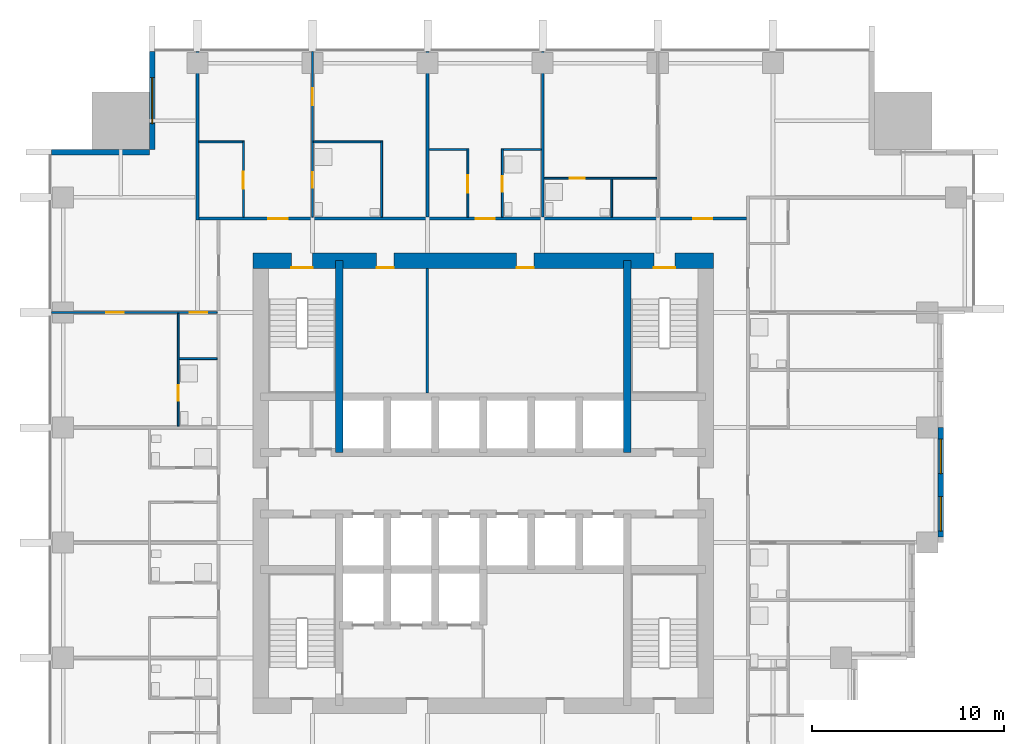
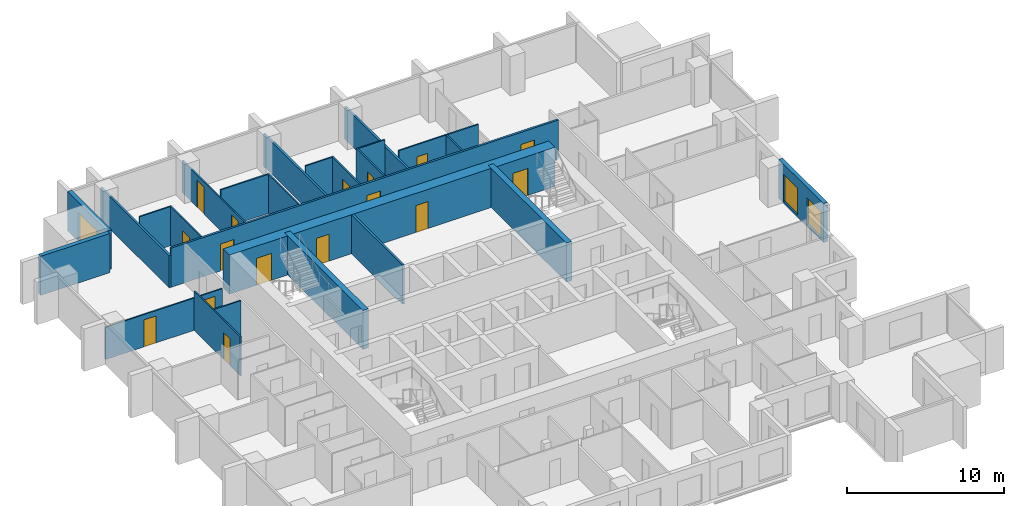
# One storey, part 7 of 10: 25 walls, 16 doors, 3 windows, 19 openings.
"""IFC4 building model written with IfcOpenShell, lengths in metres."""

from ifc_helpers import new_model, si_unit, direction, frame, frame_2d, origin, place, context, subcontext, project, spatial, rectangle, extrude, material, layer, layer_set, type_object, element, fill, save


model = new_model("IFC4")

# Units and contexts
model_context = context("Model", 3, precision=1e-05, world=origin(), true_north=direction((0.0, 1.0)))
body_context = subcontext(model_context, "Body", "Model", "MODEL_VIEW")
ifc_project = project(units=[si_unit("LENGTHUNIT", "METRE"), si_unit("AREAUNIT", "SQUARE_METRE"), si_unit("VOLUMEUNIT", "CUBIC_METRE"), si_unit("PLANEANGLEUNIT", "RADIAN"), si_unit("MASSUNIT", "GRAM", prefix="KILO")], contexts=[model_context])

# Site, building, storey
site_placement = place(None, origin())
site = spatial("IfcSite", under=ifc_project, at=site_placement, CompositionType="ELEMENT")
building_placement = place(site_placement, origin())
building = spatial("IfcBuilding", under=site, at=building_placement, Name="Amberfall Residences", CompositionType="ELEMENT")
storey_placement = place(building_placement, frame((0.0, 0.0, 101.800048828125)))
storey = spatial("IfcBuildingStorey", under=building, at=storey_placement, Name="L27", CompositionType="ELEMENT", Elevation=101.800048828125)

# Wall, opening, window
ifc_material_1 = material(Name="Pale stone cladding on insulated backing", Category="masonry")
ifc_layer_1 = layer(ifc_material_1, 0.300048828125)
ifc_layer_set_1 = layer_set([ifc_layer_1], Name="Bronze clad wall 300")
wall_type_1 = type_object("IfcWallType", Name="Bronze clad wall 300", PredefinedType="SOLIDWALL", material=ifc_layer_set_1)
wall_1_placement = place(storey_placement, frame((57.25, 68.0, 0.0), z_axis=(0.0, 0.0, 1.0), x_axis=(0.0, -1.0, 0.0)))
wall_1 = element("IfcWall", 1, at=wall_1_placement, inside=storey, type_object=wall_type_1, Name="External wall L27 NW", PredefinedType="SOLIDWALL", context=body_context, shape_type="SweptSolid", body=[
    extrude(rectangle(XDim=5.10009765625, YDim=0.300048828125, at=frame_2d((2.550048828125, 0.0))), origin(), (0.0, 0.0, 1.0), 3.050048828125),
])
opening_1_placement = place(wall_1_placement, frame((1.35009765625, 0.0, 0.14990234375)))
opening_1 = element("IfcOpeningElement", 2, at=opening_1_placement, cuts=wall_1, Name="Opening WN5", PredefinedType="OPENING", context=body_context, shape_type="SweptSolid", body=[
    extrude(rectangle(XDim=2.39990234375, YDim=2.10009765625, at=frame_2d((1.199951171875, 1.050048828125))), frame((0.0, 0.159912109375, 0.0), z_axis=(0.0, -1.0, 0.0), x_axis=(1.0, 0.0, 0.0)), (0.0, 0.0, 1.0), 0.320068359375),
])
ifc_material_2 = material(Name="Bronze aluminium framed glazing", Category="aluminium")
window_type_1 = type_object("IfcWindowType", Name="Glazed opening 2400 x 2100 bronze", PartitioningType="DOUBLE_PANEL_VERTICAL", PredefinedType="WINDOW", material=ifc_material_2)
window_1_placement = place(opening_1_placement, origin())
window_1 = element("IfcWindow", 3, at=window_1_placement, inside=storey, type_object=window_type_1, Name="Window L27 NW", OverallHeight=2.10009765625, OverallWidth=2.39990234375, PartitioningType="DOUBLE_PANEL_VERTICAL", PredefinedType="WINDOW", context=body_context, shape_type="SweptSolid", body=[
    extrude(rectangle(XDim=2.39990234375, YDim=2.10009765625, at=frame_2d((1.199951171875, 1.050048828125))), frame((0.0, 0.030029296875, 0.0), z_axis=(0.0, -1.0, 0.0), x_axis=(1.0, 0.0, 0.0)), (0.0, 0.0, 1.0), 0.06005859375),
])
fill(opening_1, window_1)

# Wall
wall_2_placement = place(storey_placement, frame((57.10009765625, 62.75, 0.0), z_axis=(0.0, 0.0, 1.0), x_axis=(-1.0, 0.0, 0.0)))
element("IfcWall", 4, at=wall_2_placement, inside=storey, type_object=wall_type_1, Name="External wall L27 NW", PredefinedType="SOLIDWALL", context=body_context, shape_type="SweptSolid", body=[
    extrude(rectangle(XDim=5.10009765625, YDim=0.300048828125, at=frame_2d((2.550048828125, 0.0))), origin(), (0.0, 0.0, 1.0), 3.050048828125),
])

# Wall, openings, windows
wall_3_placement = place(storey_placement, frame((98.35009765625, 42.699951171875, 0.0), z_axis=(0.0, 0.0, 1.0), x_axis=(0.0, 1.0, 0.0)))
wall_3 = element("IfcWall", 5, at=wall_3_placement, inside=storey, type_object=wall_type_1, Name="Stone wall L27 E", PredefinedType="SOLIDWALL", context=body_context, shape_type="SweptSolid", body=[
    extrude(rectangle(XDim=5.699951171875, YDim=0.300048828125, at=frame_2d((2.85009765625, 0.0))), origin(), (0.0, 0.0, 1.0), 3.050048828125),
])
opening_2_placement = place(wall_3_placement, frame((0.300048828125, 0.0, 0.14990234375)))
opening_2 = element("IfcOpeningElement", 6, at=opening_2_placement, cuts=wall_3, Name="Opening WN6", PredefinedType="OPENING", context=body_context, shape_type="SweptSolid", body=[
    extrude(rectangle(XDim=1.800048828125, YDim=2.10009765625, at=frame_2d((0.89990234375, 1.050048828125))), frame((0.0, 0.159912109375, 0.0), z_axis=(0.0, -1.0, 0.0), x_axis=(1.0, 0.0, 0.0)), (0.0, 0.0, 1.0), 0.320068359375),
])
opening_3_placement = place(wall_3_placement, frame((3.300048828125, 0.0, 0.14990234375)))
opening_3 = element("IfcOpeningElement", 7, at=opening_3_placement, cuts=wall_3, Name="Opening WN6", PredefinedType="OPENING", context=body_context, shape_type="SweptSolid", body=[
    extrude(rectangle(XDim=1.800048828125, YDim=2.10009765625, at=frame_2d((0.89990234375, 1.050048828125))), frame((0.0, 0.159912109375, 0.0), z_axis=(0.0, -1.0, 0.0), x_axis=(1.0, 0.0, 0.0)), (0.0, 0.0, 1.0), 0.320068359375),
])
window_type_2 = type_object("IfcWindowType", Name="Glazed opening 1800 x 2100 bronze", PartitioningType="DOUBLE_PANEL_VERTICAL", PredefinedType="WINDOW", material=ifc_material_2)
window_2_placement = place(opening_2_placement, origin())
window_2 = element("IfcWindow", 8, at=window_2_placement, inside=storey, type_object=window_type_2, Name="Window L27 E", OverallHeight=2.10009765625, OverallWidth=1.800048828125, PartitioningType="DOUBLE_PANEL_VERTICAL", PredefinedType="WINDOW", context=body_context, shape_type="SweptSolid", body=[
    extrude(rectangle(XDim=1.800048828125, YDim=2.10009765625, at=frame_2d((0.89990234375, 1.050048828125))), frame((0.0, 0.030029296875, 0.0), z_axis=(0.0, -1.0, 0.0), x_axis=(1.0, 0.0, 0.0)), (0.0, 0.0, 1.0), 0.06005859375),
])
fill(opening_2, window_2)
window_3_placement = place(opening_3_placement, origin())
window_3 = element("IfcWindow", 9, at=window_3_placement, inside=storey, type_object=window_type_2, Name="Window L27 E", OverallHeight=2.10009765625, OverallWidth=1.800048828125, PartitioningType="DOUBLE_PANEL_VERTICAL", PredefinedType="WINDOW", context=body_context, shape_type="SweptSolid", body=[
    extrude(rectangle(XDim=1.800048828125, YDim=2.10009765625, at=frame_2d((0.89990234375, 1.050048828125))), frame((0.0, 0.030029296875, 0.0), z_axis=(0.0, -1.0, 0.0), x_axis=(1.0, 0.0, 0.0)), (0.0, 0.0, 1.0), 0.06005859375),
])
fill(opening_3, window_3)

# Walls
ifc_material_3 = material(Name="Concrete C70", Category="concrete")
ifc_layer_2 = layer(ifc_material_3, 0.39990234375)
ifc_layer_set_2 = layer_set([ifc_layer_2], Name="Core wall 400 C70")
wall_type_2 = type_object("IfcWallType", Name="Core wall 400 C70", PredefinedType="SHEAR", material=ifc_layer_set_2)
for number, where, z_axis, x_axis, name in (
    (10, (67.0, 47.10009765625, 0.0), (0.0, 0.0, 1.0), (0.0, 1.0, 0.0), "Core wall RW4 L27 V45N"),
    (11, (82.0, 47.10009765625, 0.0), (0.0, 0.0, 1.0), (0.0, 1.0, 0.0), "Core wall RW4 L27 V195N"),
):
    element("IfcWall", number, at=place(storey_placement, frame(where, z_axis=z_axis, x_axis=x_axis)), inside=storey, type_object=wall_type_2, Name=name, PredefinedType="SHEAR", context=body_context, shape_type="SweptSolid", body=[
        extrude(rectangle(XDim=10.0, YDim=0.39990234375, at=frame_2d((5.0, 0.0))), origin(), (0.0, 0.0, 1.0), 3.050048828125),
    ])

# Wall, openings, doors
ifc_layer_3 = layer(ifc_material_3, 0.800048828125)
ifc_layer_set_3 = layer_set([ifc_layer_3], Name="Core wall 800 C70")
wall_type_3 = type_object("IfcWallType", Name="Core wall 800 C70", PredefinedType="SHEAR", material=ifc_layer_set_3)
wall_4_placement = place(storey_placement, frame((62.5, 57.10009765625, 0.0), z_axis=(0.0, 0.0, 1.0), x_axis=(1.0, 0.0, 0.0)))
wall_4 = element("IfcWall", 12, at=wall_4_placement, inside=storey, type_object=wall_type_3, Name="Core wall RW3 L27 ON", PredefinedType="SHEAR", context=body_context, shape_type="SweptSolid", body=[
    extrude(rectangle(XDim=24.0, YDim=0.800048828125, at=frame_2d((12.0, 0.0))), origin(), (0.0, 0.0, 1.0), 3.050048828125),
])
opening_4_placement = place(wall_4_placement, frame((20.89990234375, 0.0, 0.0)))
opening_4 = element("IfcOpeningElement", 13, at=opening_4_placement, cuts=wall_4, Name="Opening SD1", PredefinedType="OPENING", context=body_context, shape_type="SweptSolid", body=[
    extrude(rectangle(XDim=1.10009765625, YDim=2.10009765625, at=frame_2d((0.550048828125, 1.050048828125))), frame((0.0, 0.409912109375, 0.0), z_axis=(0.0, -1.0, 0.0), x_axis=(1.0, 0.0, 0.0)), (0.0, 0.0, 1.0), 0.820068359375),
])
opening_5_placement = place(wall_4_placement, frame((2.0, 0.0, 0.0)))
opening_5 = element("IfcOpeningElement", 14, at=opening_5_placement, cuts=wall_4, Name="Opening SD1", PredefinedType="OPENING", context=body_context, shape_type="SweptSolid", body=[
    extrude(rectangle(XDim=1.10009765625, YDim=2.10009765625, at=frame_2d((0.550048828125, 1.050048828125))), frame((0.0, 0.409912109375, 0.0), z_axis=(0.0, -1.0, 0.0), x_axis=(1.0, 0.0, 0.0)), (0.0, 0.0, 1.0), 0.820068359375),
])
opening_6_placement = place(wall_4_placement, frame((6.43994140625, 0.0, 0.0)))
opening_6 = element("IfcOpeningElement", 15, at=opening_6_placement, cuts=wall_4, Name="Opening RD1", PredefinedType="OPENING", context=body_context, shape_type="SweptSolid", body=[
    extrude(rectangle(XDim=0.89990234375, YDim=2.10009765625, at=frame_2d((0.449951171875, 1.050048828125))), frame((0.0, 0.409912109375, 0.0), z_axis=(0.0, -1.0, 0.0), x_axis=(1.0, 0.0, 0.0)), (0.0, 0.0, 1.0), 0.820068359375),
])
opening_7_placement = place(wall_4_placement, frame((13.739990234375, 0.0, 0.0)))
opening_7 = element("IfcOpeningElement", 16, at=opening_7_placement, cuts=wall_4, Name="Opening RD1", PredefinedType="OPENING", context=body_context, shape_type="SweptSolid", body=[
    extrude(rectangle(XDim=0.89990234375, YDim=2.10009765625, at=frame_2d((0.449951171875, 1.050048828125))), frame((0.0, 0.409912109375, 0.0), z_axis=(0.0, -1.0, 0.0), x_axis=(1.0, 0.0, 0.0)), (0.0, 0.0, 1.0), 0.820068359375),
])
ifc_material_4 = material(Name="Steel fire door set", Category="steel")
door_type_1 = type_object("IfcDoorType", Name="Service room door 900 x 2100", OperationType="SINGLE_SWING_LEFT", PredefinedType="DOOR", material=ifc_material_4)
door_1_placement = place(opening_6_placement, origin())
door_1 = element("IfcDoor", 17, at=door_1_placement, inside=storey, type_object=door_type_1, Name="RD1 L27", OperationType="SINGLE_SWING_RIGHT", OverallHeight=2.10009765625, OverallWidth=0.89990234375, PredefinedType="DOOR", context=body_context, shape_type="SweptSolid", body=[
    extrude(rectangle(XDim=0.89990234375, YDim=2.10009765625, at=frame_2d((0.449951171875, 1.050048828125))), frame((0.0, -0.33740234375, 0.0), z_axis=(0.0, -1.0, 0.0), x_axis=(1.0, 0.0, 0.0)), (0.0, 0.0, 1.0), 0.050048828125),
])
fill(opening_6, door_1)
door_2_placement = place(opening_7_placement, origin())
door_2 = element("IfcDoor", 18, at=door_2_placement, inside=storey, type_object=door_type_1, Name="RD1 L27", OperationType="SINGLE_SWING_RIGHT", OverallHeight=2.10009765625, OverallWidth=0.89990234375, PredefinedType="DOOR", context=body_context, shape_type="SweptSolid", body=[
    extrude(rectangle(XDim=0.89990234375, YDim=2.10009765625, at=frame_2d((0.449951171875, 1.050048828125))), frame((0.0, -0.33740234375, 0.0), z_axis=(0.0, -1.0, 0.0), x_axis=(1.0, 0.0, 0.0)), (0.0, 0.0, 1.0), 0.050048828125),
])
fill(opening_7, door_2)
door_type_2 = type_object("IfcDoorType", Name="Stair door 1100 x 2100", OperationType="SINGLE_SWING_LEFT", PredefinedType="DOOR", material=ifc_material_4)
door_3_placement = place(opening_4_placement, origin())
door_3 = element("IfcDoor", 19, at=door_3_placement, inside=storey, type_object=door_type_2, Name="SD1 L27", OperationType="SINGLE_SWING_RIGHT", OverallHeight=2.10009765625, OverallWidth=1.10009765625, PredefinedType="DOOR", context=body_context, shape_type="SweptSolid", body=[
    extrude(rectangle(XDim=1.10009765625, YDim=2.10009765625, at=frame_2d((0.550048828125, 1.050048828125))), frame((0.0, -0.33740234375, 0.0), z_axis=(0.0, -1.0, 0.0), x_axis=(1.0, 0.0, 0.0)), (0.0, 0.0, 1.0), 0.050048828125),
])
fill(opening_4, door_3)
door_4_placement = place(opening_5_placement, origin())
door_4 = element("IfcDoor", 20, at=door_4_placement, inside=storey, type_object=door_type_2, Name="SD1 L27", OperationType="SINGLE_SWING_LEFT", OverallHeight=2.10009765625, OverallWidth=1.10009765625, PredefinedType="DOOR", context=body_context, shape_type="SweptSolid", body=[
    extrude(rectangle(XDim=1.10009765625, YDim=2.10009765625, at=frame_2d((0.550048828125, 1.050048828125))), frame((0.0, -0.33740234375, 0.0), z_axis=(0.0, -1.0, 0.0), x_axis=(1.0, 0.0, 0.0)), (0.0, 0.0, 1.0), 0.050048828125),
])
fill(opening_5, door_4)

# Wall, opening, door
ifc_material_5 = material(Name="Gypsum board on metal stud")
ifc_layer_4 = layer(ifc_material_5, 0.10009765625)
ifc_layer_set_4 = layer_set([ifc_layer_4], Name="Flat partition 100")
wall_type_4 = type_object("IfcWallType", Name="Flat partition 100", PredefinedType="PARTITIONING", material=ifc_layer_set_4)
wall_5_placement = place(storey_placement, frame((58.60009765625, 54.35009765625, 0.0), z_axis=(0.0, 0.0, 1.0), x_axis=(0.0, -1.0, 0.0)))
wall_5 = element("IfcWall", 21, at=wall_5_placement, inside=storey, type_object=wall_type_4, Name="Partition 005", PredefinedType="PARTITIONING", context=body_context, shape_type="SweptSolid", body=[
    extrude(rectangle(XDim=5.875, YDim=0.10009765625, at=frame_2d((2.9375, 0.0))), origin(), (0.0, 0.0, 1.0), 3.050048828125),
])
opening_8_placement = place(wall_5_placement, frame((3.75, 0.0, 0.0)))
opening_8 = element("IfcOpeningElement", 22, at=opening_8_placement, cuts=wall_5, Name="Opening D42", PredefinedType="OPENING", context=body_context, shape_type="SweptSolid", body=[
    extrude(rectangle(XDim=0.800048828125, YDim=2.10009765625, at=frame_2d((0.39990234375, 1.050048828125))), frame((0.0, 0.06005859375, 0.0), z_axis=(0.0, -1.0, 0.0), x_axis=(1.0, 0.0, 0.0)), (0.0, 0.0, 1.0), 0.1201171875),
])
ifc_material_6 = material(Name="Timber", Category="wood")
door_type_3 = type_object("IfcDoorType", Name="Bathroom door 800 x 2100", OperationType="SINGLE_SWING_LEFT", PredefinedType="DOOR", material=ifc_material_6)
door_5_placement = place(opening_8_placement, origin())
door_5 = element("IfcDoor", 23, at=door_5_placement, inside=storey, type_object=door_type_3, Name="Door 2713 bath1", OperationType="SINGLE_SWING_LEFT", OverallHeight=2.10009765625, OverallWidth=0.800048828125, PredefinedType="DOOR", context=body_context, shape_type="SweptSolid", body=[
    extrude(rectangle(XDim=0.800048828125, YDim=2.10009765625, at=frame_2d((0.39990234375, 1.050048828125))), frame((0.0, 0.02490234375, 0.0), z_axis=(0.0, -1.0, 0.0), x_axis=(1.0, 0.0, 0.0)), (0.0, 0.0, 1.0), 0.050048828125),
])
fill(opening_8, door_5)

wall_6_placement = place(storey_placement, frame((62.0, 59.375, 0.0), z_axis=(0.0, 0.0, 1.0), x_axis=(0.0, 1.0, 0.0)))
wall_6 = element("IfcWall", 24, at=wall_6_placement, inside=storey, type_object=wall_type_4, Name="Partition 006", PredefinedType="PARTITIONING", context=body_context, shape_type="SweptSolid", body=[
    extrude(rectangle(XDim=3.97509765625, YDim=0.10009765625, at=frame_2d((1.987548828125, 0.0))), origin(), (0.0, 0.0, 1.0), 3.050048828125),
])
opening_9_placement = place(wall_6_placement, frame((1.47509765625, 0.0, 0.0)))
opening_9 = element("IfcOpeningElement", 25, at=opening_9_placement, cuts=wall_6, Name="Opening D41", PredefinedType="OPENING", context=body_context, shape_type="SweptSolid", body=[
    extrude(rectangle(XDim=0.89990234375, YDim=2.10009765625, at=frame_2d((0.449951171875, 1.050048828125))), frame((0.0, 0.06005859375, 0.0), z_axis=(0.0, -1.0, 0.0), x_axis=(1.0, 0.0, 0.0)), (0.0, 0.0, 1.0), 0.1201171875),
])
door_type_4 = type_object("IfcDoorType", Name="Internal door 900 x 2100", OperationType="SINGLE_SWING_LEFT", PredefinedType="DOOR", material=ifc_material_6)
door_6_placement = place(opening_9_placement, origin())
door_6 = element("IfcDoor", 26, at=door_6_placement, inside=storey, type_object=door_type_4, Name="Door 2707 kitchen", OperationType="SINGLE_SWING_LEFT", OverallHeight=2.10009765625, OverallWidth=0.89990234375, PredefinedType="DOOR", context=body_context, shape_type="SweptSolid", body=[
    extrude(rectangle(XDim=0.89990234375, YDim=2.10009765625, at=frame_2d((0.449951171875, 1.050048828125))), frame((0.0, 0.02490234375, 0.0), z_axis=(0.0, -1.0, 0.0), x_axis=(1.0, 0.0, 0.0)), (0.0, 0.0, 1.0), 0.050048828125),
])
fill(opening_9, door_6)

# Wall, openings, doors
wall_7_placement = place(storey_placement, frame((65.60009765625, 68.0, 0.0), z_axis=(0.0, 0.0, 1.0), x_axis=(0.0, -1.0, 0.0)))
wall_7 = element("IfcWall", 27, at=wall_7_placement, inside=storey, type_object=wall_type_4, Name="Partition 008", PredefinedType="PARTITIONING", context=body_context, shape_type="SweptSolid", body=[
    extrude(rectangle(XDim=8.625, YDim=0.10009765625, at=frame_2d((4.3125, 0.0))), origin(), (0.0, 0.0, 1.0), 2.515869140625),
])
opening_10_placement = place(wall_7_placement, frame((1.89990234375, 0.0, 0.0)))
opening_10 = element("IfcOpeningElement", 28, at=opening_10_placement, cuts=wall_7, Name="Opening D41", PredefinedType="OPENING", context=body_context, shape_type="SweptSolid", body=[
    extrude(rectangle(XDim=0.89990234375, YDim=2.10009765625, at=frame_2d((0.449951171875, 1.050048828125))), frame((0.0, 0.06005859375, 0.0), z_axis=(0.0, -1.0, 0.0), x_axis=(1.0, 0.0, 0.0)), (0.0, 0.0, 1.0), 0.1201171875),
])
opening_11_placement = place(wall_7_placement, frame((6.300048828125, 0.0, 0.0)))
opening_11 = element("IfcOpeningElement", 29, at=opening_11_placement, cuts=wall_7, Name="Opening D42", PredefinedType="OPENING", context=body_context, shape_type="SweptSolid", body=[
    extrude(rectangle(XDim=0.800048828125, YDim=2.10009765625, at=frame_2d((0.39990234375, 1.050048828125))), frame((0.0, 0.06005859375, 0.0), z_axis=(0.0, -1.0, 0.0), x_axis=(1.0, 0.0, 0.0)), (0.0, 0.0, 1.0), 0.1201171875),
])
door_7_placement = place(opening_11_placement, origin())
door_7 = element("IfcDoor", 30, at=door_7_placement, inside=storey, type_object=door_type_3, Name="Door 2707 bath1", OperationType="SINGLE_SWING_LEFT", OverallHeight=2.10009765625, OverallWidth=0.800048828125, PredefinedType="DOOR", context=body_context, shape_type="SweptSolid", body=[
    extrude(rectangle(XDim=0.800048828125, YDim=2.10009765625, at=frame_2d((0.39990234375, 1.050048828125))), frame((0.0, 0.02490234375, 0.0), z_axis=(0.0, -1.0, 0.0), x_axis=(1.0, 0.0, 0.0)), (0.0, 0.0, 1.0), 0.050048828125),
])
fill(opening_11, door_7)
door_8_placement = place(opening_10_placement, origin())
door_8 = element("IfcDoor", 31, at=door_8_placement, inside=storey, type_object=door_type_4, Name="Door 2707 bedroom1", OperationType="SINGLE_SWING_LEFT", OverallHeight=2.10009765625, OverallWidth=0.89990234375, PredefinedType="DOOR", context=body_context, shape_type="SweptSolid", body=[
    extrude(rectangle(XDim=0.89990234375, YDim=2.10009765625, at=frame_2d((0.449951171875, 1.050048828125))), frame((0.0, 0.02490234375, 0.0), z_axis=(0.0, -1.0, 0.0), x_axis=(1.0, 0.0, 0.0)), (0.0, 0.0, 1.0), 0.050048828125),
])
fill(opening_10, door_8)

# Wall
wall_8_placement = place(storey_placement, frame((69.199951171875, 59.375, 0.0), z_axis=(0.0, 0.0, 1.0), x_axis=(0.0, 1.0, 0.0)))
element("IfcWall", 32, at=wall_8_placement, inside=storey, type_object=wall_type_4, Name="Partition 010", PredefinedType="PARTITIONING", context=body_context, shape_type="SweptSolid", body=[
    extrude(rectangle(XDim=3.97509765625, YDim=0.10009765625, at=frame_2d((1.987548828125, 0.0))), origin(), (0.0, 0.0, 1.0), 3.050048828125),
])

# Wall, opening, door
wall_9_placement = place(storey_placement, frame((73.699951171875, 59.375, 0.0), z_axis=(0.0, 0.0, 1.0), x_axis=(0.0, 1.0, 0.0)))
wall_9 = element("IfcWall", 33, at=wall_9_placement, inside=storey, type_object=wall_type_4, Name="Partition 011", PredefinedType="PARTITIONING", context=body_context, shape_type="SweptSolid", body=[
    extrude(rectangle(XDim=3.574951171875, YDim=0.10009765625, at=frame_2d((1.78759765625, 0.0))), origin(), (0.0, 0.0, 1.0), 3.050048828125),
])
opening_12_placement = place(wall_9_placement, frame((1.27490234375, 0.0, 0.0)))
opening_12 = element("IfcOpeningElement", 34, at=opening_12_placement, cuts=wall_9, Name="Opening D41", PredefinedType="OPENING", context=body_context, shape_type="SweptSolid", body=[
    extrude(rectangle(XDim=0.89990234375, YDim=2.10009765625, at=frame_2d((0.449951171875, 1.050048828125))), frame((0.0, 0.06005859375, 0.0), z_axis=(0.0, -1.0, 0.0), x_axis=(1.0, 0.0, 0.0)), (0.0, 0.0, 1.0), 0.1201171875),
])
door_9_placement = place(opening_12_placement, origin())
door_9 = element("IfcDoor", 35, at=door_9_placement, inside=storey, type_object=door_type_4, Name="Door 2708 kitchen", OperationType="SINGLE_SWING_LEFT", OverallHeight=2.10009765625, OverallWidth=0.89990234375, PredefinedType="DOOR", context=body_context, shape_type="SweptSolid", body=[
    extrude(rectangle(XDim=0.89990234375, YDim=2.10009765625, at=frame_2d((0.449951171875, 1.050048828125))), frame((0.0, 0.02490234375, 0.0), z_axis=(0.0, -1.0, 0.0), x_axis=(1.0, 0.0, 0.0)), (0.0, 0.0, 1.0), 0.050048828125),
])
fill(opening_12, door_9)

wall_10_placement = place(storey_placement, frame((75.5, 62.949951171875, 0.0), z_axis=(0.0, 0.0, 1.0), x_axis=(0.0, -1.0, 0.0)))
wall_10 = element("IfcWall", 36, at=wall_10_placement, inside=storey, type_object=wall_type_4, Name="Partition 013", PredefinedType="PARTITIONING", context=body_context, shape_type="SweptSolid", body=[
    extrude(rectangle(XDim=3.574951171875, YDim=0.10009765625, at=frame_2d((1.78759765625, 0.0))), origin(), (0.0, 0.0, 1.0), 3.050048828125),
])
opening_13_placement = place(wall_10_placement, frame((1.449951171875, 0.0, 0.0)))
opening_13 = element("IfcOpeningElement", 37, at=opening_13_placement, cuts=wall_10, Name="Opening D42", PredefinedType="OPENING", context=body_context, shape_type="SweptSolid", body=[
    extrude(rectangle(XDim=0.800048828125, YDim=2.10009765625, at=frame_2d((0.39990234375, 1.050048828125))), frame((0.0, 0.06005859375, 0.0), z_axis=(0.0, -1.0, 0.0), x_axis=(1.0, 0.0, 0.0)), (0.0, 0.0, 1.0), 0.1201171875),
])
door_10_placement = place(opening_13_placement, origin())
door_10 = element("IfcDoor", 38, at=door_10_placement, inside=storey, type_object=door_type_3, Name="Door 2708 bath1", OperationType="SINGLE_SWING_LEFT", OverallHeight=2.10009765625, OverallWidth=0.800048828125, PredefinedType="DOOR", context=body_context, shape_type="SweptSolid", body=[
    extrude(rectangle(XDim=0.800048828125, YDim=2.10009765625, at=frame_2d((0.39990234375, 1.050048828125))), frame((0.0, 0.02490234375, 0.0), z_axis=(0.0, -1.0, 0.0), x_axis=(1.0, 0.0, 0.0)), (0.0, 0.0, 1.0), 0.050048828125),
])
fill(opening_13, door_10)

# Walls
wall_11_placement = place(storey_placement, frame((81.199951171875, 59.375, 0.0), z_axis=(0.0, 0.0, 1.0), x_axis=(0.0, 1.0, 0.0)))
element("IfcWall", 39, at=wall_11_placement, inside=storey, type_object=wall_type_4, Name="Partition 015", PredefinedType="PARTITIONING", context=body_context, shape_type="SweptSolid", body=[
    extrude(rectangle(XDim=1.97509765625, YDim=0.10009765625, at=frame_2d((0.987548828125, 0.0))), origin(), (0.0, 0.0, 1.0), 3.050048828125),
])
wall_12_placement = place(storey_placement, frame((59.675048828125, 63.300048828125, 0.0), z_axis=(0.0, 0.0, 1.0), x_axis=(1.0, 0.0, 0.0)))
element("IfcWall", 40, at=wall_12_placement, inside=storey, type_object=wall_type_4, Name="Partition 022", PredefinedType="PARTITIONING", context=body_context, shape_type="SweptSolid", body=[
    extrude(rectangle(XDim=2.27490234375, YDim=0.10009765625, at=frame_2d((1.137451171875, 0.0))), origin(), (0.0, 0.0, 1.0), 3.050048828125),
])
wall_13_placement = place(storey_placement, frame((65.64990234375, 63.300048828125, 0.0), z_axis=(0.0, 0.0, 1.0), x_axis=(1.0, 0.0, 0.0)))
element("IfcWall", 41, at=wall_13_placement, inside=storey, type_object=wall_type_4, Name="Partition 023", PredefinedType="PARTITIONING", context=body_context, shape_type="SweptSolid", body=[
    extrude(rectangle(XDim=3.5, YDim=0.10009765625, at=frame_2d((1.75, 0.0))), origin(), (0.0, 0.0, 1.0), 3.050048828125),
])
for number, where, z_axis, x_axis, name in (
    (42, (71.675048828125, 62.89990234375, 0.0), (0.0, 0.0, 1.0), (1.0, 0.0, 0.0), "Partition 024"),
    (43, (75.550048828125, 62.89990234375, 0.0), (0.0, 0.0, 1.0), (1.0, 0.0, 0.0), "Partition 025"),
):
    element("IfcWall", number, at=place(storey_placement, frame(where, z_axis=z_axis, x_axis=x_axis)), inside=storey, type_object=wall_type_4, Name=name, PredefinedType="PARTITIONING", context=body_context, shape_type="SweptSolid", body=[
        extrude(rectangle(XDim=1.974853515625, YDim=0.10009765625, at=frame_2d((0.9873046875, 0.0))), origin(), (0.0, 0.0, 1.0), 3.050048828125),
    ])

# Wall, opening, door
wall_14_placement = place(storey_placement, frame((83.550048828125, 61.39990234375, 0.0), z_axis=(0.0, 0.0, 1.0), x_axis=(-1.0, 0.0, 0.0)))
wall_14 = element("IfcWall", 44, at=wall_14_placement, inside=storey, type_object=wall_type_4, Name="Partition 026", PredefinedType="PARTITIONING", context=body_context, shape_type="SweptSolid", body=[
    extrude(rectangle(XDim=5.875, YDim=0.10009765625, at=frame_2d((2.9375, 0.0))), origin(), (0.0, 0.0, 1.0), 3.050048828125),
])
opening_14_placement = place(wall_14_placement, frame((3.75, 0.0, 0.0)))
opening_14 = element("IfcOpeningElement", 45, at=opening_14_placement, cuts=wall_14, Name="Opening D42", PredefinedType="OPENING", context=body_context, shape_type="SweptSolid", body=[
    extrude(rectangle(XDim=0.800048828125, YDim=2.10009765625, at=frame_2d((0.39990234375, 1.050048828125))), frame((0.0, 0.06005859375, 0.0), z_axis=(0.0, -1.0, 0.0), x_axis=(1.0, 0.0, 0.0)), (0.0, 0.0, 1.0), 0.1201171875),
])
door_11_placement = place(opening_14_placement, origin())
door_11 = element("IfcDoor", 46, at=door_11_placement, inside=storey, type_object=door_type_3, Name="Door 2709 bath1", OperationType="SINGLE_SWING_LEFT", OverallHeight=2.10009765625, OverallWidth=0.800048828125, PredefinedType="DOOR", context=body_context, shape_type="SweptSolid", body=[
    extrude(rectangle(XDim=0.800048828125, YDim=2.10009765625, at=frame_2d((0.39990234375, 1.050048828125))), frame((0.0, 0.02490234375, 0.0), z_axis=(0.0, -1.0, 0.0), x_axis=(1.0, 0.0, 0.0)), (0.0, 0.0, 1.0), 0.050048828125),
])
fill(opening_14, door_11)

# Wall, openings, doors
wall_15_placement = place(storey_placement, frame((60.625, 54.39990234375, 0.0), z_axis=(0.0, 0.0, 1.0), x_axis=(-1.0, 0.0, 0.0)))
wall_15 = element("IfcWall", 47, at=wall_15_placement, inside=storey, type_object=wall_type_4, Name="Partition 028", PredefinedType="PARTITIONING", context=body_context, shape_type="SweptSolid", body=[
    extrude(rectangle(XDim=8.625, YDim=0.10009765625, at=frame_2d((4.3125, 0.0))), origin(), (0.0, 0.0, 1.0), 2.515869140625),
])
opening_15_placement = place(wall_15_placement, frame((0.52490234375, 0.0, 0.0)))
opening_15 = element("IfcOpeningElement", 48, at=opening_15_placement, cuts=wall_15, Name="Opening D41", PredefinedType="OPENING", context=body_context, shape_type="SweptSolid", body=[
    extrude(rectangle(XDim=0.89990234375, YDim=2.10009765625, at=frame_2d((0.449951171875, 1.050048828125))), frame((0.0, 0.06005859375, 0.0), z_axis=(0.0, -1.0, 0.0), x_axis=(1.0, 0.0, 0.0)), (0.0, 0.0, 1.0), 0.1201171875),
])
opening_16_placement = place(wall_15_placement, frame((4.875, 0.0, 0.0)))
opening_16 = element("IfcOpeningElement", 49, at=opening_16_placement, cuts=wall_15, Name="Opening D41", PredefinedType="OPENING", context=body_context, shape_type="SweptSolid", body=[
    extrude(rectangle(XDim=0.89990234375, YDim=2.10009765625, at=frame_2d((0.449951171875, 1.050048828125))), frame((0.0, 0.06005859375, 0.0), z_axis=(0.0, -1.0, 0.0), x_axis=(1.0, 0.0, 0.0)), (0.0, 0.0, 1.0), 0.1201171875),
])
door_12_placement = place(opening_15_placement, origin())
door_12 = element("IfcDoor", 50, at=door_12_placement, inside=storey, type_object=door_type_4, Name="Door 2713 kitchen", OperationType="SINGLE_SWING_LEFT", OverallHeight=2.10009765625, OverallWidth=0.89990234375, PredefinedType="DOOR", context=body_context, shape_type="SweptSolid", body=[
    extrude(rectangle(XDim=0.89990234375, YDim=2.10009765625, at=frame_2d((0.449951171875, 1.050048828125))), frame((0.0, 0.02490234375, 0.0), z_axis=(0.0, -1.0, 0.0), x_axis=(1.0, 0.0, 0.0)), (0.0, 0.0, 1.0), 0.050048828125),
])
fill(opening_15, door_12)
door_13_placement = place(opening_16_placement, origin())
door_13 = element("IfcDoor", 51, at=door_13_placement, inside=storey, type_object=door_type_4, Name="Door 2713 bedroom1", OperationType="SINGLE_SWING_LEFT", OverallHeight=2.10009765625, OverallWidth=0.89990234375, PredefinedType="DOOR", context=body_context, shape_type="SweptSolid", body=[
    extrude(rectangle(XDim=0.89990234375, YDim=2.10009765625, at=frame_2d((0.449951171875, 1.050048828125))), frame((0.0, 0.02490234375, 0.0), z_axis=(0.0, -1.0, 0.0), x_axis=(1.0, 0.0, 0.0)), (0.0, 0.0, 1.0), 0.050048828125),
])
fill(opening_16, door_13)

# Walls
wall_16_placement = place(storey_placement, frame((58.64990234375, 52.0, 0.0), z_axis=(0.0, 0.0, 1.0), x_axis=(1.0, 0.0, 0.0)))
element("IfcWall", 52, at=wall_16_placement, inside=storey, type_object=wall_type_4, Name="Partition 030", PredefinedType="PARTITIONING", context=body_context, shape_type="SweptSolid", body=[
    extrude(rectangle(XDim=1.97509765625, YDim=0.10009765625, at=frame_2d((0.987548828125, 0.0))), origin(), (0.0, 0.0, 1.0), 3.050048828125),
])
ifc_material_7 = material(Name="Blockwork, plastered", Category="masonry")
ifc_layer_5 = layer(ifc_material_7, 0.14990234375)
ifc_layer_set_5 = layer_set([ifc_layer_5], Name="Flat separating wall 150")
wall_type_5 = type_object("IfcWallType", Name="Flat separating wall 150", PredefinedType="PARTITIONING", material=ifc_layer_set_5)
wall_17_placement = place(storey_placement, frame((59.60009765625, 59.22509765625, 0.0), z_axis=(0.0, 0.0, 1.0), x_axis=(0.0, 1.0, 0.0)))
element("IfcWall", 53, at=wall_17_placement, inside=storey, type_object=wall_type_5, Name="Separating wall 046", PredefinedType="PARTITIONING", context=body_context, shape_type="SweptSolid", body=[
    extrude(rectangle(XDim=8.77490234375, YDim=0.14990234375, at=frame_2d((4.387451171875, 0.0))), origin(), (0.0, 0.0, 1.0), 2.510009765625),
])
for number, where, z_axis, x_axis, name in (
    (54, (71.60009765625, 59.375, 0.0), (0.0, 0.0, 1.0), (0.0, 1.0, 0.0), "Separating wall 049"),
    (55, (77.60009765625, 59.375, 0.0), (0.0, 0.0, 1.0), (0.0, 1.0, 0.0), "Separating wall 050"),
):
    element("IfcWall", number, at=place(storey_placement, frame(where, z_axis=z_axis, x_axis=x_axis)), inside=storey, type_object=wall_type_5, Name=name, PredefinedType="PARTITIONING", context=body_context, shape_type="SweptSolid", body=[
        extrude(rectangle(XDim=8.625, YDim=0.14990234375, at=frame_2d((4.3125, 0.0))), origin(), (0.0, 0.0, 1.0), 2.515869140625),
    ])

# Wall, openings, doors
wall_18_placement = place(storey_placement, frame((59.675048828125, 59.300048828125, 0.0), z_axis=(0.0, 0.0, 1.0), x_axis=(1.0, 0.0, 0.0)))
wall_18 = element("IfcWall", 56, at=wall_18_placement, inside=storey, type_object=wall_type_5, Name="Separating wall 055", PredefinedType="PARTITIONING", context=body_context, shape_type="SweptSolid", body=[
    extrude(rectangle(XDim=28.550048828125, YDim=0.14990234375, at=frame_2d((14.27490234375, 0.0))), origin(), (0.0, 0.0, 1.0), 3.050048828125),
])
opening_17_placement = place(wall_18_placement, frame((3.625, 0.0, 0.0)))
opening_17 = element("IfcOpeningElement", 57, at=opening_17_placement, cuts=wall_18, Name="Opening D40", PredefinedType="OPENING", context=body_context, shape_type="SweptSolid", body=[
    extrude(rectangle(XDim=1.0, YDim=2.10009765625, at=frame_2d((0.5, 1.050048828125))), frame((0.0, 0.0849609375, 0.0), z_axis=(0.0, -1.0, 0.0), x_axis=(1.0, 0.0, 0.0)), (0.0, 0.0, 1.0), 0.169921875),
])
opening_18_placement = place(wall_18_placement, frame((14.425048828125, 0.0, 0.0)))
opening_18 = element("IfcOpeningElement", 58, at=opening_18_placement, cuts=wall_18, Name="Opening D40", PredefinedType="OPENING", context=body_context, shape_type="SweptSolid", body=[
    extrude(rectangle(XDim=1.0, YDim=2.10009765625, at=frame_2d((0.5, 1.050048828125))), frame((0.0, 0.0849609375, 0.0), z_axis=(0.0, -1.0, 0.0), x_axis=(1.0, 0.0, 0.0)), (0.0, 0.0, 1.0), 0.169921875),
])
opening_19_placement = place(wall_18_placement, frame((25.77490234375, 0.0, 0.0)))
opening_19 = element("IfcOpeningElement", 59, at=opening_19_placement, cuts=wall_18, Name="Opening D40", PredefinedType="OPENING", context=body_context, shape_type="SweptSolid", body=[
    extrude(rectangle(XDim=1.0, YDim=2.10009765625, at=frame_2d((0.5, 1.050048828125))), frame((0.0, 0.0849609375, 0.0), z_axis=(0.0, -1.0, 0.0), x_axis=(1.0, 0.0, 0.0)), (0.0, 0.0, 1.0), 0.169921875),
])
ifc_material_8 = material(Name="Timber, fire-rated", Category="wood")
door_type_5 = type_object("IfcDoorType", Name="Flat entrance door FD60 1000 x 2100", OperationType="SINGLE_SWING_LEFT", PredefinedType="DOOR", material=ifc_material_8)
door_14_placement = place(opening_17_placement, origin())
door_14 = element("IfcDoor", 60, at=door_14_placement, inside=storey, type_object=door_type_5, Name="Door 2707 entrance", OperationType="SINGLE_SWING_LEFT", OverallHeight=2.10009765625, OverallWidth=1.0, PredefinedType="DOOR", context=body_context, shape_type="SweptSolid", body=[
    extrude(rectangle(XDim=1.0, YDim=2.10009765625, at=frame_2d((0.5, 1.050048828125))), frame((0.0, 0.02490234375, 0.0), z_axis=(0.0, -1.0, 0.0), x_axis=(1.0, 0.0, 0.0)), (0.0, 0.0, 1.0), 0.050048828125),
])
fill(opening_17, door_14)
door_15_placement = place(opening_18_placement, origin())
door_15 = element("IfcDoor", 61, at=door_15_placement, inside=storey, type_object=door_type_5, Name="Door 2708 entrance", OperationType="SINGLE_SWING_LEFT", OverallHeight=2.10009765625, OverallWidth=1.0, PredefinedType="DOOR", context=body_context, shape_type="SweptSolid", body=[
    extrude(rectangle(XDim=1.0, YDim=2.10009765625, at=frame_2d((0.5, 1.050048828125))), frame((0.0, 0.02490234375, 0.0), z_axis=(0.0, -1.0, 0.0), x_axis=(1.0, 0.0, 0.0)), (0.0, 0.0, 1.0), 0.050048828125),
])
fill(opening_18, door_15)
door_16_placement = place(opening_19_placement, origin())
door_16 = element("IfcDoor", 62, at=door_16_placement, inside=storey, type_object=door_type_5, Name="Door 2709 entrance", OperationType="SINGLE_SWING_LEFT", OverallHeight=2.10009765625, OverallWidth=1.0, PredefinedType="DOOR", context=body_context, shape_type="SweptSolid", body=[
    extrude(rectangle(XDim=1.0, YDim=2.10009765625, at=frame_2d((0.5, 1.050048828125))), frame((0.0, 0.02490234375, 0.0), z_axis=(0.0, -1.0, 0.0), x_axis=(1.0, 0.0, 0.0)), (0.0, 0.0, 1.0), 0.050048828125),
])
fill(opening_19, door_16)

# Wall
ifc_material_9 = material(Name="Concrete blockwork", Category="masonry")
ifc_layer_6 = layer(ifc_material_9, 0.14990234375)
ifc_layer_set_6 = layer_set([ifc_layer_6], Name="Riser wall 150")
wall_type_6 = type_object("IfcWallType", Name="Riser wall 150", PredefinedType="PLUMBINGWALL", material=ifc_layer_set_6)
wall_19_placement = place(storey_placement, frame((71.580078125, 50.199951171875, 0.0), z_axis=(0.0, 0.0, 1.0), x_axis=(0.0, 1.0, 0.0)))
element("IfcWall", 63, at=wall_19_placement, inside=storey, type_object=wall_type_6, Name="L27 core wall N0", PredefinedType="PLUMBINGWALL", context=body_context, shape_type="SweptSolid", body=[
    extrude(rectangle(XDim=6.5, YDim=0.14990234375, at=frame_2d((3.25, 0.0))), origin(), (0.0, 0.0, 1.0), 3.050048828125),
])

save(model, "model.ifc")
